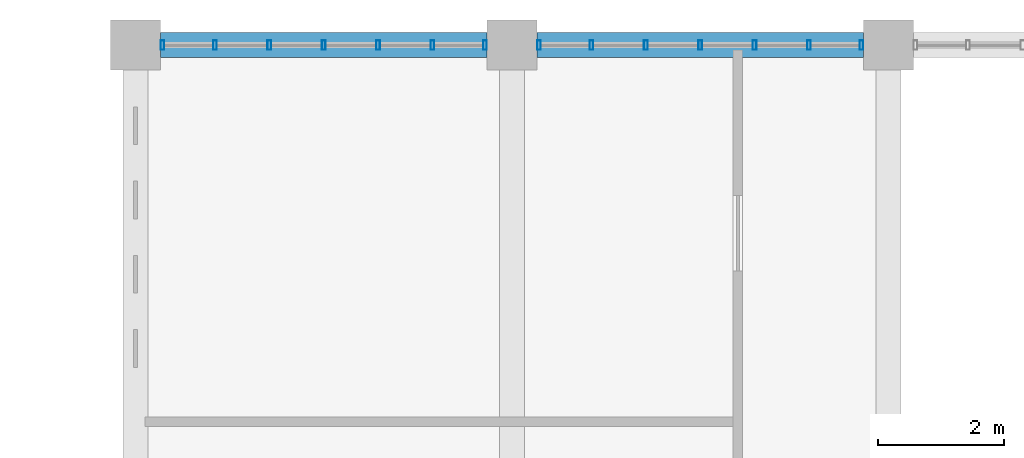
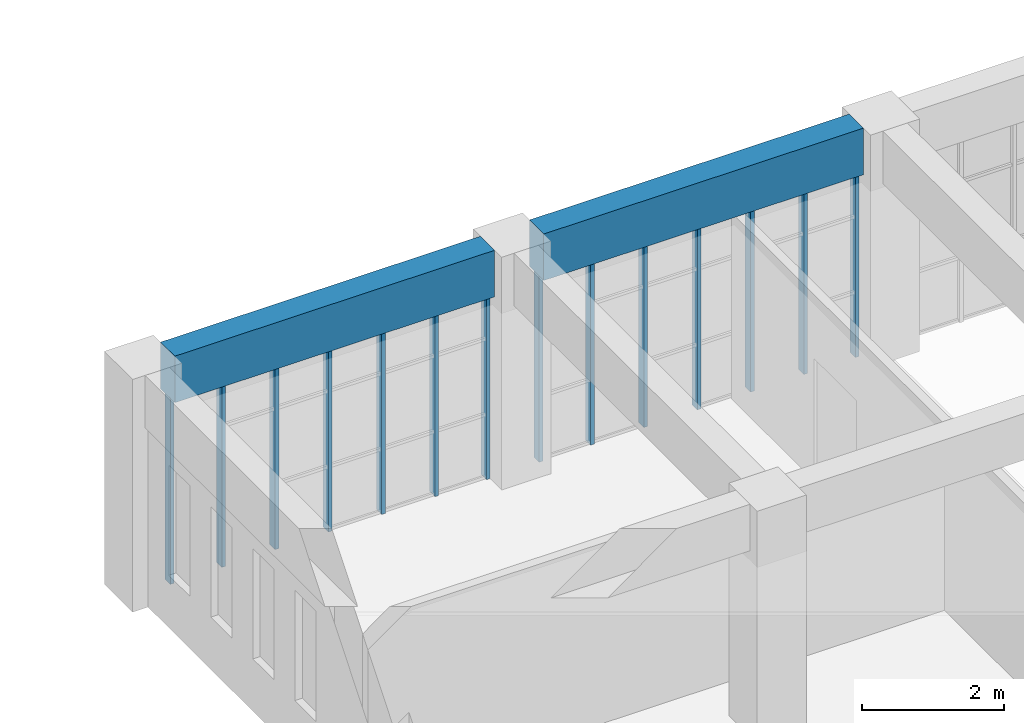
# One storey, part 18 of 47: 14 members, 2 beams, 2 elements without a shape of their own.
"""IFC4 building model written with IfcOpenShell, lengths in metres."""

from ifc_helpers import new_model, si_unit, direction, frame, origin, origin_2d, place, context, subcontext, project, spatial, rectangle, hollow_rectangle, extrude, material, material_profile, profile_set, type_object, element, aggregate, save


model = new_model("IFC4")

# Units and contexts
model_context = context("Model", 3, precision=1e-05, world=origin(), true_north=direction((0.0, 1.0)))
body_context = subcontext(model_context, "Body", "Model", "MODEL_VIEW")
ifc_project = project(units=[si_unit("LENGTHUNIT", "METRE"), si_unit("AREAUNIT", "SQUARE_METRE"), si_unit("VOLUMEUNIT", "CUBIC_METRE"), si_unit("PLANEANGLEUNIT", "RADIAN"), si_unit("MASSUNIT", "GRAM", prefix="KILO")], contexts=[model_context])

# Site, building, storey
site_placement = place(None, origin())
site = spatial("IfcSite", under=ifc_project, at=site_placement, CompositionType="ELEMENT")
building_placement = place(site_placement, origin())
building = spatial("IfcBuilding", under=site, at=building_placement, Name="Laocheng Heights Fire and Rescue Headquarters", CompositionType="ELEMENT")
storey_placement = place(building_placement, frame((0.0, 0.0, 16.800048828125)))
storey = spatial("IfcBuildingStorey", under=building, at=storey_placement, Name="L04", CompositionType="ELEMENT", Elevation=16.800048828125)

# Curtain wall, members
ifc_material_1 = material(Name="Dark anodised aluminium unitised curtain wall, low-e double glazing", Category="aluminium")
curtain_wall_type = type_object("IfcCurtainWallType", Name="CW 5200 x 3200 HQ CONTROL ROOM FACE", PredefinedType="NOTDEFINED", material=ifc_material_1)
curtain_wall_1_placement = place(storey_placement, origin())
curtain_wall_1 = element("IfcCurtainWall", 1, at=curtain_wall_1_placement, inside=storey, type_object=curtain_wall_type, Name="X24-X HQ NORTH L04", PredefinedType="NOTDEFINED")
ifc_material_2 = material(Name="Dark anodised aluminium 6063-T5 extrusion", Category="aluminium")
ifc_material_profile_1 = material_profile(ifc_material_2, hollow_rectangle(XDim=0.14990234375, YDim=0.06005859375, WallThickness=0.0029296875, at=origin_2d()), Name="AL MULLION 150x60x3 HQ CONTROL ROOM FACE")
ifc_profile_set_1 = profile_set([ifc_material_profile_1], Name="Dark anodised aluminium 6063-T5 extrusion")
member_type = type_object("IfcMemberType", Name="AL MULLION 150x60x3 HQ CONTROL ROOM FACE", PredefinedType="MULLION", material=ifc_profile_set_1)
member_1_placement = place(storey_placement, frame((36.429931640625, 72.0, 0.0), z_axis=(0.0, 0.0, 1.0), x_axis=(0.0, 1.0, 0.0)))
member_1 = element("IfcMember", 2, at=member_1_placement, type_object=member_type, Name="X24-X mullion 1", PredefinedType="MULLION", context=body_context, shape_type="SweptSolid", body=[
    extrude(hollow_rectangle(XDim=0.14990234375, YDim=0.06005859375, WallThickness=0.0029296875, at=origin_2d()), origin(), (0.0, 0.0, 1.0), 3.199951171875),
])
member_2_placement = place(storey_placement, frame((37.2666015625, 72.0, 0.0), z_axis=(0.0, 0.0, 1.0), x_axis=(0.0, 1.0, 0.0)))
member_2 = element("IfcMember", 3, at=member_2_placement, type_object=member_type, Name="X24-X mullion 2", PredefinedType="MULLION", context=body_context, shape_type="SweptSolid", body=[
    extrude(hollow_rectangle(XDim=0.14990234375, YDim=0.06005859375, WallThickness=0.0029296875, at=origin_2d()), origin(), (0.0, 0.0, 1.0), 3.199951171875),
])
member_3_placement = place(storey_placement, frame((38.13330078125, 72.0, 0.0), z_axis=(0.0, 0.0, 1.0), x_axis=(0.0, 1.0, 0.0)))
member_3 = element("IfcMember", 4, at=member_3_placement, type_object=member_type, Name="X24-X mullion 3", PredefinedType="MULLION", context=body_context, shape_type="SweptSolid", body=[
    extrude(hollow_rectangle(XDim=0.14990234375, YDim=0.06005859375, WallThickness=0.0029296875, at=origin_2d()), origin(), (0.0, 0.0, 1.0), 3.199951171875),
])
member_4_placement = place(storey_placement, frame((39.0, 72.0, 0.0), z_axis=(0.0, 0.0, 1.0), x_axis=(0.0, 1.0, 0.0)))
member_4 = element("IfcMember", 5, at=member_4_placement, type_object=member_type, Name="X24-X mullion 4", PredefinedType="MULLION", context=body_context, shape_type="SweptSolid", body=[
    extrude(hollow_rectangle(XDim=0.14990234375, YDim=0.06005859375, WallThickness=0.0029296875, at=origin_2d()), origin(), (0.0, 0.0, 1.0), 3.199951171875),
])
member_5_placement = place(storey_placement, frame((39.86669921875, 72.0, 0.0), z_axis=(0.0, 0.0, 1.0), x_axis=(0.0, 1.0, 0.0)))
member_5 = element("IfcMember", 6, at=member_5_placement, type_object=member_type, Name="X24-X mullion 5", PredefinedType="MULLION", context=body_context, shape_type="SweptSolid", body=[
    extrude(hollow_rectangle(XDim=0.14990234375, YDim=0.06005859375, WallThickness=0.0029296875, at=origin_2d()), origin(), (0.0, 0.0, 1.0), 3.199951171875),
])
member_6_placement = place(storey_placement, frame((40.7333984375, 72.0, 0.0), z_axis=(0.0, 0.0, 1.0), x_axis=(0.0, 1.0, 0.0)))
member_6 = element("IfcMember", 7, at=member_6_placement, type_object=member_type, Name="X24-X mullion 6", PredefinedType="MULLION", context=body_context, shape_type="SweptSolid", body=[
    extrude(hollow_rectangle(XDim=0.14990234375, YDim=0.06005859375, WallThickness=0.0029296875, at=origin_2d()), origin(), (0.0, 0.0, 1.0), 3.199951171875),
])
member_7_placement = place(storey_placement, frame((41.570068359375, 72.0, 0.0), z_axis=(0.0, 0.0, 1.0), x_axis=(0.0, 1.0, 0.0)))
member_7 = element("IfcMember", 8, at=member_7_placement, type_object=member_type, Name="X24-X mullion 7", PredefinedType="MULLION", context=body_context, shape_type="SweptSolid", body=[
    extrude(hollow_rectangle(XDim=0.14990234375, YDim=0.06005859375, WallThickness=0.0029296875, at=origin_2d()), origin(), (0.0, 0.0, 1.0), 3.199951171875),
])
aggregate(curtain_wall_1, [member_1, member_2, member_3, member_4, member_5, member_6, member_7])

curtain_wall_2_placement = place(storey_placement, origin())
curtain_wall_2 = element("IfcCurtainWall", 9, at=curtain_wall_2_placement, inside=storey, type_object=curtain_wall_type, Name="X24-X HQ NORTH L04", PredefinedType="NOTDEFINED")
member_8_placement = place(storey_placement, frame((42.429931640625, 72.0, 0.0), z_axis=(0.0, 0.0, 1.0), x_axis=(0.0, 1.0, 0.0)))
member_8 = element("IfcMember", 10, at=member_8_placement, type_object=member_type, Name="X24-X mullion 1", PredefinedType="MULLION", context=body_context, shape_type="SweptSolid", body=[
    extrude(hollow_rectangle(XDim=0.14990234375, YDim=0.06005859375, WallThickness=0.0029296875, at=origin_2d()), origin(), (0.0, 0.0, 1.0), 3.199951171875),
])
member_9_placement = place(storey_placement, frame((43.2666015625, 72.0, 0.0), z_axis=(0.0, 0.0, 1.0), x_axis=(0.0, 1.0, 0.0)))
member_9 = element("IfcMember", 11, at=member_9_placement, type_object=member_type, Name="X24-X mullion 2", PredefinedType="MULLION", context=body_context, shape_type="SweptSolid", body=[
    extrude(hollow_rectangle(XDim=0.14990234375, YDim=0.06005859375, WallThickness=0.0029296875, at=origin_2d()), origin(), (0.0, 0.0, 1.0), 3.199951171875),
])
member_10_placement = place(storey_placement, frame((44.13330078125, 72.0, 0.0), z_axis=(0.0, 0.0, 1.0), x_axis=(0.0, 1.0, 0.0)))
member_10 = element("IfcMember", 12, at=member_10_placement, type_object=member_type, Name="X24-X mullion 3", PredefinedType="MULLION", context=body_context, shape_type="SweptSolid", body=[
    extrude(hollow_rectangle(XDim=0.14990234375, YDim=0.06005859375, WallThickness=0.0029296875, at=origin_2d()), origin(), (0.0, 0.0, 1.0), 3.199951171875),
])
member_11_placement = place(storey_placement, frame((45.0, 72.0, 0.0), z_axis=(0.0, 0.0, 1.0), x_axis=(0.0, 1.0, 0.0)))
member_11 = element("IfcMember", 13, at=member_11_placement, type_object=member_type, Name="X24-X mullion 4", PredefinedType="MULLION", context=body_context, shape_type="SweptSolid", body=[
    extrude(hollow_rectangle(XDim=0.14990234375, YDim=0.06005859375, WallThickness=0.0029296875, at=origin_2d()), origin(), (0.0, 0.0, 1.0), 3.199951171875),
])
member_12_placement = place(storey_placement, frame((45.86669921875, 72.0, 0.0), z_axis=(0.0, 0.0, 1.0), x_axis=(0.0, 1.0, 0.0)))
member_12 = element("IfcMember", 14, at=member_12_placement, type_object=member_type, Name="X24-X mullion 5", PredefinedType="MULLION", context=body_context, shape_type="SweptSolid", body=[
    extrude(hollow_rectangle(XDim=0.14990234375, YDim=0.06005859375, WallThickness=0.0029296875, at=origin_2d()), origin(), (0.0, 0.0, 1.0), 3.199951171875),
])
member_13_placement = place(storey_placement, frame((46.7333984375, 72.0, 0.0), z_axis=(0.0, 0.0, 1.0), x_axis=(0.0, 1.0, 0.0)))
member_13 = element("IfcMember", 15, at=member_13_placement, type_object=member_type, Name="X24-X mullion 6", PredefinedType="MULLION", context=body_context, shape_type="SweptSolid", body=[
    extrude(hollow_rectangle(XDim=0.14990234375, YDim=0.06005859375, WallThickness=0.0029296875, at=origin_2d()), origin(), (0.0, 0.0, 1.0), 3.199951171875),
])
member_14_placement = place(storey_placement, frame((47.570068359375, 72.0, 0.0), z_axis=(0.0, 0.0, 1.0), x_axis=(0.0, 1.0, 0.0)))
member_14 = element("IfcMember", 16, at=member_14_placement, type_object=member_type, Name="X24-X mullion 7", PredefinedType="MULLION", context=body_context, shape_type="SweptSolid", body=[
    extrude(hollow_rectangle(XDim=0.14990234375, YDim=0.06005859375, WallThickness=0.0029296875, at=origin_2d()), origin(), (0.0, 0.0, 1.0), 3.199951171875),
])
aggregate(curtain_wall_2, [member_8, member_9, member_10, member_11, member_12, member_13, member_14])

# Beams
ifc_material_3 = material(Name="Concrete C40", Category="concrete")
ifc_material_profile_2 = material_profile(ifc_material_3, rectangle(XDim=0.39990234375, YDim=0.800048828125, at=origin_2d()), Name="RC BEAM 400x800 HQ")
ifc_profile_set_2 = profile_set([ifc_material_profile_2], Name="Concrete C40")
beam_type = type_object("IfcBeamType", Name="RC BEAM 400x800 HQ", PredefinedType="BEAM", material=ifc_profile_set_2)
for number, where, z_axis, x_axis, name in (
    (17, (36.39990234375, 72.0, 3.599853515625), (1.0, 0.0, 0.0), (0.0, 1.0, 0.0), "HQ beam L04"),
    (18, (42.39990234375, 72.0, 3.599853515625), (1.0, 0.0, 0.0), (0.0, 1.0, 0.0), "HQ beam L04"),
):
    element("IfcBeam", number, at=place(storey_placement, frame(where, z_axis=z_axis, x_axis=x_axis)), inside=storey, type_object=beam_type, Name=name, PredefinedType="BEAM", context=body_context, shape_type="SweptSolid", body=[
        extrude(rectangle(XDim=0.39990234375, YDim=0.800048828125, at=origin_2d()), origin(), (0.0, 0.0, 1.0), 5.2001953125),
    ])

save(model, "model.ifc")
